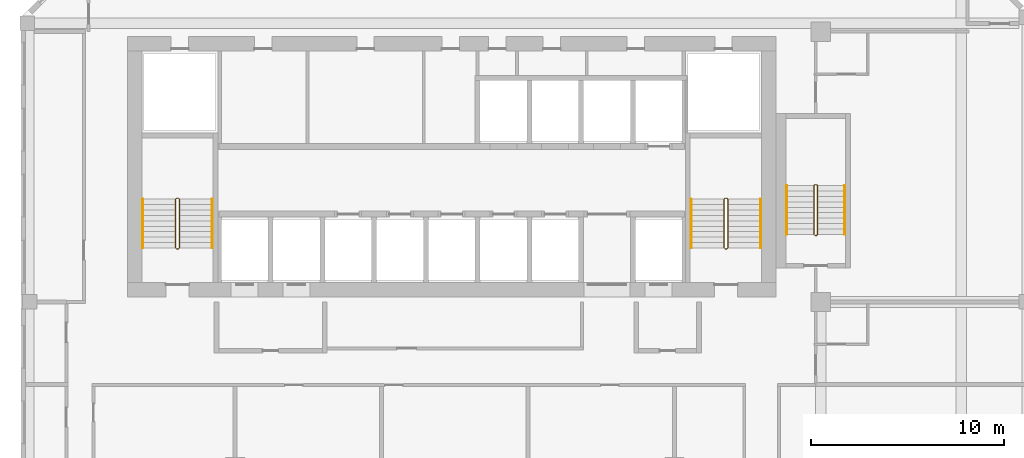
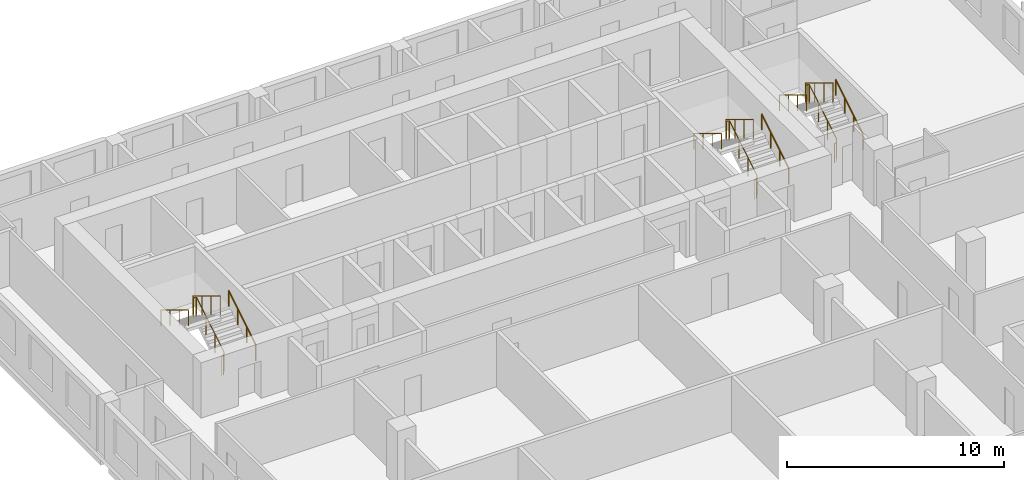
# One storey, part 22 of 23: 9 railings.
"""IFC4 building model written with IfcOpenShell, lengths in metres."""

from ifc_helpers import new_model, si_unit, direction, frame, origin, origin_2d, place, context, subcontext, project, spatial, circle, extrude, material, type_object, element, save


model = new_model("IFC4")

# Units and contexts
model_context = context("Model", 3, precision=1e-05, world=origin(), true_north=direction((0.0, 1.0)))
body_context = subcontext(model_context, "Body", "Model", "MODEL_VIEW")
ifc_project = project(units=[si_unit("LENGTHUNIT", "METRE"), si_unit("AREAUNIT", "SQUARE_METRE"), si_unit("VOLUMEUNIT", "CUBIC_METRE"), si_unit("PLANEANGLEUNIT", "RADIAN"), si_unit("MASSUNIT", "GRAM", prefix="KILO")], contexts=[model_context])

# Site, building, storey
site_placement = place(None, origin())
site = spatial("IfcSite", under=ifc_project, at=site_placement, CompositionType="ELEMENT")
building_placement = place(site_placement, origin())
building = spatial("IfcBuilding", under=site, at=building_placement, Name="Kilnfold Tower and Market Hall", CompositionType="ELEMENT")
storey_placement = place(building_placement, frame((0.0, 0.0, 203.300048828125)))
storey = spatial("IfcBuildingStorey", under=building, at=storey_placement, Name="L49", CompositionType="ELEMENT", Elevation=203.300048828125)

# Railings
ifc_material_1 = material(Name="Stainless steel 316", Category="steel")
railing_type_1 = type_object("IfcRailingType", Name="CORE STAIR GUARD 1100", PredefinedType="GUARDRAIL", material=ifc_material_1)
railing_1_placement = place(storey_placement, frame((-13.199951171875, 10.75, 0.0)))
element("IfcRailing", 1, at=railing_1_placement, inside=storey, type_object=railing_type_1, Name="L49 ST1 stair guard 1", PredefinedType="GUARDRAIL", context=body_context, shape_type="SweptSolid", body=[
    extrude(circle(Radius=0.02392578125, at=origin_2d()), frame((0.0, 0.0, 1.076171875), z_axis=(1.0, 0.0, 0.0), x_axis=(0.0, 1.0, 0.0)), (0.0, 0.0, 1.0), 0.099853515625),
    extrude(circle(Radius=0.02392578125, at=origin_2d()), frame((0.099853515625, 0.0, 1.076171875), z_axis=(0.271895245746, 0.271895245746, 0.923117517265), x_axis=(-0.707106781187, 0.707106781187, 0.0)), (0.0, 0.0, 1.0), 0.18408203125),
    extrude(circle(Radius=0.02392578125, at=origin_2d()), frame((0.14990234375, 0.050048828125, 1.24609375), z_axis=(0.0, 0.85478489116, 0.518982456201), x_axis=(-1.0, 0.0, 0.0)), (0.0, 0.0, 1.0), 2.9482421875),
    extrude(circle(Radius=0.02392578125, at=origin_2d()), frame((0.14990234375, 2.570068359375, 2.77587890625), z_axis=(-0.707106781187, 0.707106781187, 0.0), x_axis=(-0.707106781187, -0.707106781187, 0.0)), (0.0, 0.0, 1.0), 0.07080078125),
    extrude(circle(Radius=0.02392578125, at=origin_2d()), frame((0.099853515625, 2.6201171875, 2.77587890625), z_axis=(-1.0, 0.0, 0.0), x_axis=(0.0, -1.0, 0.0)), (0.0, 0.0, 1.0), 0.099853515625),
    extrude(circle(Radius=0.02392578125, at=origin_2d()), frame((0.0, 2.6201171875, 2.77587890625), z_axis=(-0.271895245746, -0.271895245746, 0.923117517265), x_axis=(0.707106781187, -0.707106781187, 0.0)), (0.0, 0.0, 1.0), 0.18408203125),
    extrude(circle(Radius=0.02392578125, at=origin_2d()), frame((-0.050048828125, 2.570068359375, 2.94580078125), z_axis=(0.0, -0.85478489116, 0.518982456201), x_axis=(1.0, 0.0, 0.0)), (0.0, 0.0, 1.0), 2.9482421875),
    extrude(circle(Radius=0.02099609375, at=origin_2d()), origin(), (0.0, 0.0, 1.0), 1.052001953125),
    extrude(circle(Radius=0.02099609375, at=origin_2d()), frame((0.099853515625, 0.0, 0.0)), (0.0, 0.0, 1.0), 1.052001953125),
    extrude(circle(Radius=0.02099609375, at=origin_2d()), frame((0.14990234375, 0.050048828125, 0.169921875)), (0.0, 0.0, 1.0), 1.052001953125),
    extrude(circle(Radius=0.02099609375, at=origin_2d()), frame((0.14990234375, 0.89013671875, 0.679931640625)), (0.0, 0.0, 1.0), 1.052001953125),
    extrude(circle(Radius=0.02099609375, at=origin_2d()), frame((0.14990234375, 1.72998046875, 1.18994140625)), (0.0, 0.0, 1.0), 1.052001953125),
    extrude(circle(Radius=0.02099609375, at=origin_2d()), frame((0.14990234375, 2.570068359375, 1.699951171875)), (0.0, 0.0, 1.0), 1.052001953125),
    extrude(circle(Radius=0.02099609375, at=origin_2d()), frame((0.099853515625, 2.6201171875, 1.699951171875)), (0.0, 0.0, 1.0), 1.052001953125),
    extrude(circle(Radius=0.02099609375, at=origin_2d()), frame((0.0, 2.6201171875, 1.699951171875)), (0.0, 0.0, 1.0), 1.052001953125),
    extrude(circle(Radius=0.02099609375, at=origin_2d()), frame((-0.050048828125, 2.570068359375, 1.869873046875)), (0.0, 0.0, 1.0), 1.052001953125),
    extrude(circle(Radius=0.02099609375, at=origin_2d()), frame((-0.050048828125, 1.72998046875, 2.3798828125)), (0.0, 0.0, 1.0), 1.052001953125),
    extrude(circle(Radius=0.02099609375, at=origin_2d()), frame((-0.050048828125, 0.89013671875, 2.889892578125)), (0.0, 0.0, 1.0), 1.052001953125),
    extrude(circle(Radius=0.02099609375, at=origin_2d()), frame((-0.050048828125, 0.050048828125, 3.39990234375)), (0.0, 0.0, 1.0), 1.052001953125),
])
railing_2_placement = place(storey_placement, frame((15.199951171875, 10.75, 0.0)))
element("IfcRailing", 2, at=railing_2_placement, inside=storey, type_object=railing_type_1, Name="L49 ST2 stair guard 1", PredefinedType="GUARDRAIL", context=body_context, shape_type="SweptSolid", body=[
    extrude(circle(Radius=0.02392578125, at=origin_2d()), frame((0.0, 0.0, 1.076171875), z_axis=(1.0, 0.0, 0.0), x_axis=(0.0, 1.0, 0.0)), (0.0, 0.0, 1.0), 0.10009765625),
    extrude(circle(Radius=0.02392578125, at=origin_2d()), frame((0.10009765625, 0.0, 1.076171875), z_axis=(0.271895245746, 0.271895245746, 0.923117517265), x_axis=(-0.707106781187, 0.707106781187, 0.0)), (0.0, 0.0, 1.0), 0.18408203125),
    extrude(circle(Radius=0.02392578125, at=origin_2d()), frame((0.150146484375, 0.050048828125, 1.24609375), z_axis=(0.0, 0.85478489116, 0.518982456201), x_axis=(-1.0, 0.0, 0.0)), (0.0, 0.0, 1.0), 2.9482421875),
    extrude(circle(Radius=0.02392578125, at=origin_2d()), frame((0.150146484375, 2.570068359375, 2.77587890625), z_axis=(-0.707106781187, 0.707106781187, 0.0), x_axis=(-0.707106781187, -0.707106781187, 0.0)), (0.0, 0.0, 1.0), 0.07080078125),
    extrude(circle(Radius=0.02392578125, at=origin_2d()), frame((0.10009765625, 2.6201171875, 2.77587890625), z_axis=(-1.0, 0.0, 0.0), x_axis=(0.0, -1.0, 0.0)), (0.0, 0.0, 1.0), 0.10009765625),
    extrude(circle(Radius=0.02392578125, at=origin_2d()), frame((0.0, 2.6201171875, 2.77587890625), z_axis=(-0.271895245746, -0.271895245746, 0.923117517265), x_axis=(0.707106781187, -0.707106781187, 0.0)), (0.0, 0.0, 1.0), 0.18408203125),
    extrude(circle(Radius=0.02392578125, at=origin_2d()), frame((-0.050048828125, 2.570068359375, 2.94580078125), z_axis=(0.0, -0.85478489116, 0.518982456201), x_axis=(1.0, 0.0, 0.0)), (0.0, 0.0, 1.0), 2.9482421875),
    extrude(circle(Radius=0.02099609375, at=origin_2d()), origin(), (0.0, 0.0, 1.0), 1.052001953125),
    extrude(circle(Radius=0.02099609375, at=origin_2d()), frame((0.10009765625, 0.0, 0.0)), (0.0, 0.0, 1.0), 1.052001953125),
    extrude(circle(Radius=0.02099609375, at=origin_2d()), frame((0.150146484375, 0.050048828125, 0.169921875)), (0.0, 0.0, 1.0), 1.052001953125),
    extrude(circle(Radius=0.02099609375, at=origin_2d()), frame((0.150146484375, 0.89013671875, 0.679931640625)), (0.0, 0.0, 1.0), 1.052001953125),
    extrude(circle(Radius=0.02099609375, at=origin_2d()), frame((0.150146484375, 1.72998046875, 1.18994140625)), (0.0, 0.0, 1.0), 1.052001953125),
    extrude(circle(Radius=0.02099609375, at=origin_2d()), frame((0.150146484375, 2.570068359375, 1.699951171875)), (0.0, 0.0, 1.0), 1.052001953125),
    extrude(circle(Radius=0.02099609375, at=origin_2d()), frame((0.10009765625, 2.6201171875, 1.699951171875)), (0.0, 0.0, 1.0), 1.052001953125),
    extrude(circle(Radius=0.02099609375, at=origin_2d()), frame((0.0, 2.6201171875, 1.699951171875)), (0.0, 0.0, 1.0), 1.052001953125),
    extrude(circle(Radius=0.02099609375, at=origin_2d()), frame((-0.050048828125, 2.570068359375, 1.869873046875)), (0.0, 0.0, 1.0), 1.052001953125),
    extrude(circle(Radius=0.02099609375, at=origin_2d()), frame((-0.050048828125, 1.72998046875, 2.3798828125)), (0.0, 0.0, 1.0), 1.052001953125),
    extrude(circle(Radius=0.02099609375, at=origin_2d()), frame((-0.050048828125, 0.89013671875, 2.889892578125)), (0.0, 0.0, 1.0), 1.052001953125),
    extrude(circle(Radius=0.02099609375, at=origin_2d()), frame((-0.050048828125, 0.050048828125, 3.39990234375)), (0.0, 0.0, 1.0), 1.052001953125),
])
railing_3_placement = place(storey_placement, frame((19.85009765625, 11.449951171875, 0.0)))
element("IfcRailing", 3, at=railing_3_placement, inside=storey, type_object=railing_type_1, Name="L49 ST5 stair guard 1", PredefinedType="GUARDRAIL", context=body_context, shape_type="SweptSolid", body=[
    extrude(circle(Radius=0.02392578125, at=origin_2d()), frame((0.0, 0.0, 1.076171875), z_axis=(1.0, 0.0, 0.0), x_axis=(0.0, 1.0, 0.0)), (0.0, 0.0, 1.0), 0.099853515625),
    extrude(circle(Radius=0.02392578125, at=origin_2d()), frame((0.099853515625, 0.0, 1.076171875), z_axis=(0.271895245746, 0.271895245746, 0.923117517265), x_axis=(-0.707106781187, 0.707106781187, 0.0)), (0.0, 0.0, 1.0), 0.18408203125),
    extrude(circle(Radius=0.02392578125, at=origin_2d()), frame((0.14990234375, 0.050048828125, 1.24609375), z_axis=(0.0, 0.85478489116, 0.518982456201), x_axis=(-1.0, 0.0, 0.0)), (0.0, 0.0, 1.0), 2.9482421875),
    extrude(circle(Radius=0.02392578125, at=origin_2d()), frame((0.14990234375, 2.570068359375, 2.77587890625), z_axis=(-0.707106781187, 0.707106781187, 0.0), x_axis=(-0.707106781187, -0.707106781187, 0.0)), (0.0, 0.0, 1.0), 0.07080078125),
    extrude(circle(Radius=0.02392578125, at=origin_2d()), frame((0.099853515625, 2.6201171875, 2.77587890625), z_axis=(-1.0, 0.0, 0.0), x_axis=(0.0, -1.0, 0.0)), (0.0, 0.0, 1.0), 0.099853515625),
    extrude(circle(Radius=0.02392578125, at=origin_2d()), frame((0.0, 2.6201171875, 2.77587890625), z_axis=(-0.271895245746, -0.271895245746, 0.923117517265), x_axis=(0.707106781187, -0.707106781187, 0.0)), (0.0, 0.0, 1.0), 0.18408203125),
    extrude(circle(Radius=0.02392578125, at=origin_2d()), frame((-0.050048828125, 2.570068359375, 2.94580078125), z_axis=(0.0, -0.85478489116, 0.518982456201), x_axis=(1.0, 0.0, 0.0)), (0.0, 0.0, 1.0), 2.9482421875),
    extrude(circle(Radius=0.02099609375, at=origin_2d()), origin(), (0.0, 0.0, 1.0), 1.052001953125),
    extrude(circle(Radius=0.02099609375, at=origin_2d()), frame((0.099853515625, 0.0, 0.0)), (0.0, 0.0, 1.0), 1.052001953125),
    extrude(circle(Radius=0.02099609375, at=origin_2d()), frame((0.14990234375, 0.050048828125, 0.169921875)), (0.0, 0.0, 1.0), 1.052001953125),
    extrude(circle(Radius=0.02099609375, at=origin_2d()), frame((0.14990234375, 0.89013671875, 0.679931640625)), (0.0, 0.0, 1.0), 1.052001953125),
    extrude(circle(Radius=0.02099609375, at=origin_2d()), frame((0.14990234375, 1.72998046875, 1.18994140625)), (0.0, 0.0, 1.0), 1.052001953125),
    extrude(circle(Radius=0.02099609375, at=origin_2d()), frame((0.14990234375, 2.570068359375, 1.699951171875)), (0.0, 0.0, 1.0), 1.052001953125),
    extrude(circle(Radius=0.02099609375, at=origin_2d()), frame((0.099853515625, 2.6201171875, 1.699951171875)), (0.0, 0.0, 1.0), 1.052001953125),
    extrude(circle(Radius=0.02099609375, at=origin_2d()), frame((0.0, 2.6201171875, 1.699951171875)), (0.0, 0.0, 1.0), 1.052001953125),
    extrude(circle(Radius=0.02099609375, at=origin_2d()), frame((-0.050048828125, 2.570068359375, 1.869873046875)), (0.0, 0.0, 1.0), 1.052001953125),
    extrude(circle(Radius=0.02099609375, at=origin_2d()), frame((-0.050048828125, 1.72998046875, 2.3798828125)), (0.0, 0.0, 1.0), 1.052001953125),
    extrude(circle(Radius=0.02099609375, at=origin_2d()), frame((-0.050048828125, 0.89013671875, 2.889892578125)), (0.0, 0.0, 1.0), 1.052001953125),
    extrude(circle(Radius=0.02099609375, at=origin_2d()), frame((-0.050048828125, 0.050048828125, 3.39990234375)), (0.0, 0.0, 1.0), 1.052001953125),
])
ifc_material_2 = material(Name="Stainless steel 316", Category="steel")
railing_type_2 = type_object("IfcRailingType", Name="CORE STAIR HANDRAIL 900", PredefinedType="HANDRAIL", material=ifc_material_2)
railing_4_placement = place(storey_placement, frame((-11.35009765625, 10.800048828125, 0.169921875)))
element("IfcRailing", 4, at=railing_4_placement, inside=storey, type_object=railing_type_2, Name="L49 ST1 stair handrail 1", PredefinedType="HANDRAIL", context=body_context, shape_type="SweptSolid", body=[
    extrude(circle(Radius=0.02392578125, at=origin_2d()), frame((0.0, 0.0, 0.8759765625), z_axis=(0.0, 0.85478489116, 0.518982456201), x_axis=(-1.0, 0.0, 0.0)), (0.0, 0.0, 1.0), 2.9482421875),
    extrude(circle(Radius=0.02099609375, at=origin_2d()), origin(), (0.0, 0.0, 1.0), 0.851806640625),
    extrude(circle(Radius=0.02099609375, at=origin_2d()), frame((0.0, 0.840087890625, 0.510009765625)), (0.0, 0.0, 1.0), 0.851806640625),
    extrude(circle(Radius=0.02099609375, at=origin_2d()), frame((0.0, 1.679931640625, 1.02001953125)), (0.0, 0.0, 1.0), 0.851806640625),
    extrude(circle(Radius=0.02099609375, at=origin_2d()), frame((0.0, 2.52001953125, 1.530029296875)), (0.0, 0.0, 1.0), 0.851806640625),
])
railing_5_placement = place(storey_placement, frame((-14.949951171875, 13.320068359375, 1.869873046875)))
element("IfcRailing", 5, at=railing_5_placement, inside=storey, type_object=railing_type_2, Name="L49 ST1 stair handrail 2", PredefinedType="HANDRAIL", context=body_context, shape_type="SweptSolid", body=[
    extrude(circle(Radius=0.02392578125, at=origin_2d()), frame((0.0, 0.0, 0.8759765625), z_axis=(0.0, -0.85478489116, 0.518982456201), x_axis=(1.0, 0.0, 0.0)), (0.0, 0.0, 1.0), 2.9482421875),
    extrude(circle(Radius=0.02099609375, at=origin_2d()), origin(), (0.0, 0.0, 1.0), 0.851806640625),
    extrude(circle(Radius=0.02099609375, at=origin_2d()), frame((0.0, -0.840087890625, 0.510009765625)), (0.0, 0.0, 1.0), 0.851806640625),
    extrude(circle(Radius=0.02099609375, at=origin_2d()), frame((0.0, -1.679931640625, 1.02001953125)), (0.0, 0.0, 1.0), 0.851806640625),
    extrude(circle(Radius=0.02099609375, at=origin_2d()), frame((0.0, -2.52001953125, 1.530029296875)), (0.0, 0.0, 1.0), 0.851806640625),
])
railing_6_placement = place(storey_placement, frame((17.050048828125, 10.800048828125, 0.169921875)))
element("IfcRailing", 6, at=railing_6_placement, inside=storey, type_object=railing_type_2, Name="L49 ST2 stair handrail 1", PredefinedType="HANDRAIL", context=body_context, shape_type="SweptSolid", body=[
    extrude(circle(Radius=0.02392578125, at=origin_2d()), frame((0.0, 0.0, 0.8759765625), z_axis=(0.0, 0.85478489116, 0.518982456201), x_axis=(-1.0, 0.0, 0.0)), (0.0, 0.0, 1.0), 2.9482421875),
    extrude(circle(Radius=0.02099609375, at=origin_2d()), origin(), (0.0, 0.0, 1.0), 0.851806640625),
    extrude(circle(Radius=0.02099609375, at=origin_2d()), frame((0.0, 0.840087890625, 0.510009765625)), (0.0, 0.0, 1.0), 0.851806640625),
    extrude(circle(Radius=0.02099609375, at=origin_2d()), frame((0.0, 1.679931640625, 1.02001953125)), (0.0, 0.0, 1.0), 0.851806640625),
    extrude(circle(Radius=0.02099609375, at=origin_2d()), frame((0.0, 2.52001953125, 1.530029296875)), (0.0, 0.0, 1.0), 0.851806640625),
])
railing_7_placement = place(storey_placement, frame((13.449951171875, 13.320068359375, 1.869873046875)))
element("IfcRailing", 7, at=railing_7_placement, inside=storey, type_object=railing_type_2, Name="L49 ST2 stair handrail 2", PredefinedType="HANDRAIL", context=body_context, shape_type="SweptSolid", body=[
    extrude(circle(Radius=0.02392578125, at=origin_2d()), frame((0.0, 0.0, 0.8759765625), z_axis=(0.0, -0.85478489116, 0.518982456201), x_axis=(1.0, 0.0, 0.0)), (0.0, 0.0, 1.0), 2.9482421875),
    extrude(circle(Radius=0.02099609375, at=origin_2d()), origin(), (0.0, 0.0, 1.0), 0.851806640625),
    extrude(circle(Radius=0.02099609375, at=origin_2d()), frame((0.0, -0.840087890625, 0.510009765625)), (0.0, 0.0, 1.0), 0.851806640625),
    extrude(circle(Radius=0.02099609375, at=origin_2d()), frame((0.0, -1.679931640625, 1.02001953125)), (0.0, 0.0, 1.0), 0.851806640625),
    extrude(circle(Radius=0.02099609375, at=origin_2d()), frame((0.0, -2.52001953125, 1.530029296875)), (0.0, 0.0, 1.0), 0.851806640625),
])
railing_8_placement = place(storey_placement, frame((21.39990234375, 11.5, 0.169921875)))
element("IfcRailing", 8, at=railing_8_placement, inside=storey, type_object=railing_type_2, Name="L49 ST5 stair handrail 1", PredefinedType="HANDRAIL", context=body_context, shape_type="SweptSolid", body=[
    extrude(circle(Radius=0.02392578125, at=origin_2d()), frame((0.0, 0.0, 0.8759765625), z_axis=(0.0, 0.85478489116, 0.518982456201), x_axis=(-1.0, 0.0, 0.0)), (0.0, 0.0, 1.0), 2.9482421875),
    extrude(circle(Radius=0.02099609375, at=origin_2d()), origin(), (0.0, 0.0, 1.0), 0.851806640625),
    extrude(circle(Radius=0.02099609375, at=origin_2d()), frame((0.0, 0.840087890625, 0.510009765625)), (0.0, 0.0, 1.0), 0.851806640625),
    extrude(circle(Radius=0.02099609375, at=origin_2d()), frame((0.0, 1.679931640625, 1.02001953125)), (0.0, 0.0, 1.0), 0.851806640625),
    extrude(circle(Radius=0.02099609375, at=origin_2d()), frame((0.0, 2.52001953125, 1.530029296875)), (0.0, 0.0, 1.0), 0.851806640625),
])
railing_9_placement = place(storey_placement, frame((18.39990234375, 14.02001953125, 1.869873046875)))
element("IfcRailing", 9, at=railing_9_placement, inside=storey, type_object=railing_type_2, Name="L49 ST5 stair handrail 2", PredefinedType="HANDRAIL", context=body_context, shape_type="SweptSolid", body=[
    extrude(circle(Radius=0.02392578125, at=origin_2d()), frame((0.0, 0.0, 0.8759765625), z_axis=(0.0, -0.85478489116, 0.518982456201), x_axis=(1.0, 0.0, 0.0)), (0.0, 0.0, 1.0), 2.9482421875),
    extrude(circle(Radius=0.02099609375, at=origin_2d()), origin(), (0.0, 0.0, 1.0), 0.851806640625),
    extrude(circle(Radius=0.02099609375, at=origin_2d()), frame((0.0, -0.840087890625, 0.510009765625)), (0.0, 0.0, 1.0), 0.851806640625),
    extrude(circle(Radius=0.02099609375, at=origin_2d()), frame((0.0, -1.679931640625, 1.02001953125)), (0.0, 0.0, 1.0), 0.851806640625),
    extrude(circle(Radius=0.02099609375, at=origin_2d()), frame((0.0, -2.52001953125, 1.530029296875)), (0.0, 0.0, 1.0), 0.851806640625),
])

save(model, "model.ifc")
